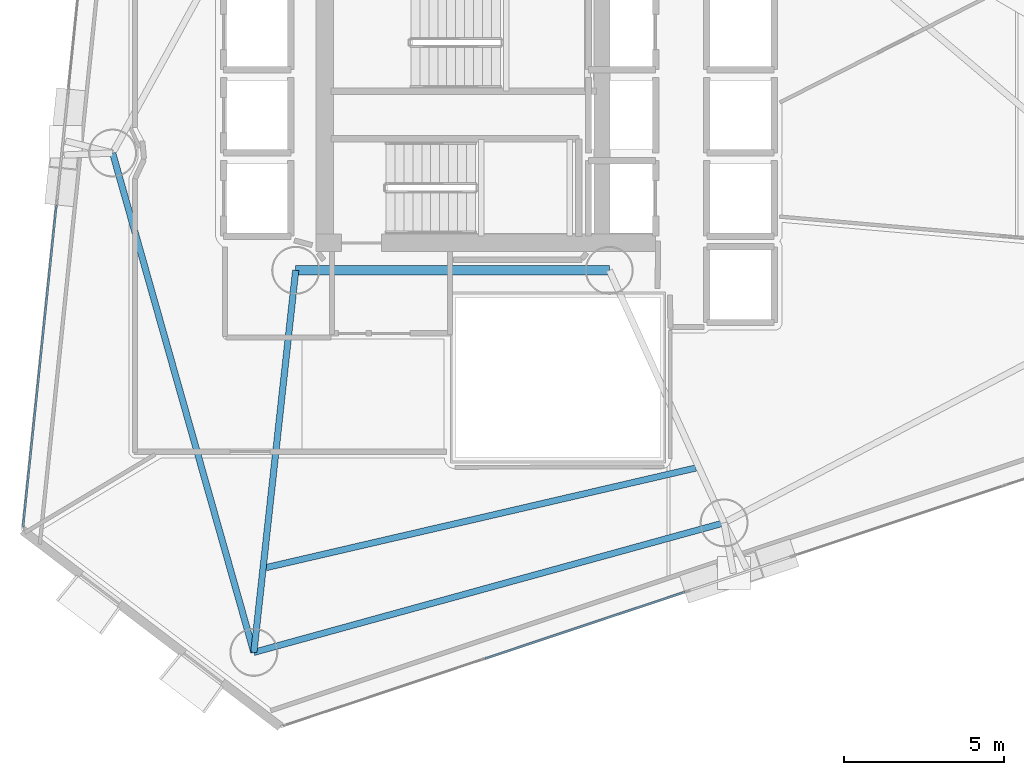
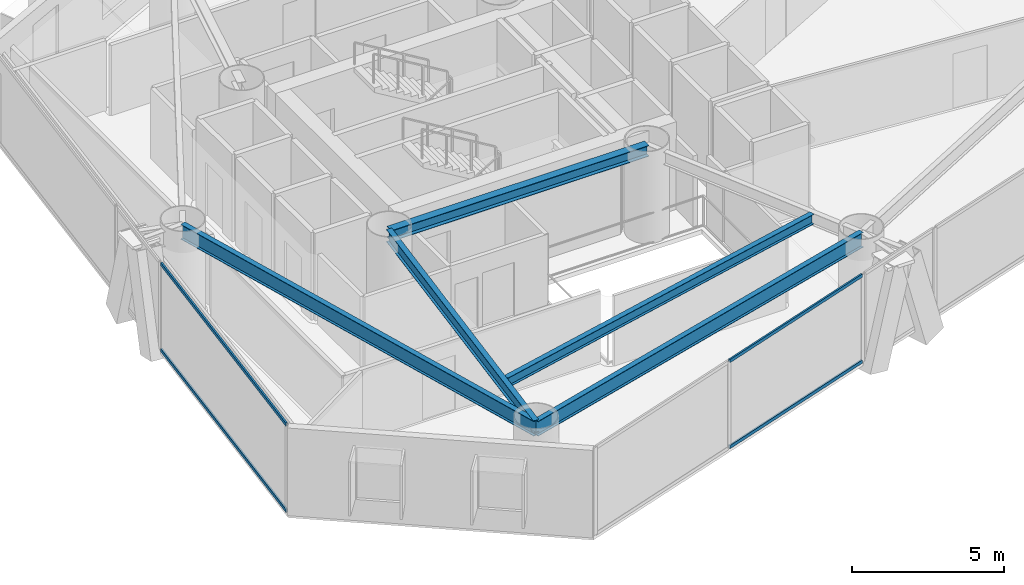
# One storey, part 3 of 19: 5 beams, 4 members, 2 elements without a shape of their own.
"""IFC4 building model written with IfcOpenShell, lengths in metres."""

from ifc_helpers import new_model, si_unit, direction, frame, origin, origin_2d, place, context, subcontext, project, spatial, hollow_rectangle, i_section, extrude, material, layer, layer_set, material_profile, profile_set, type_object, element, aggregate, save


model = new_model("IFC4")

# Units and contexts
model_context = context("Model", 3, precision=1e-05, world=origin(), true_north=direction((0.0, 1.0)))
body_context = subcontext(model_context, "Body", "Model", "MODEL_VIEW")
ifc_project = project(units=[si_unit("LENGTHUNIT", "METRE"), si_unit("AREAUNIT", "SQUARE_METRE"), si_unit("VOLUMEUNIT", "CUBIC_METRE"), si_unit("PLANEANGLEUNIT", "RADIAN"), si_unit("MASSUNIT", "GRAM", prefix="KILO")], contexts=[model_context])

# Site, building, storey
site_placement = place(None, origin())
site = spatial("IfcSite", under=ifc_project, at=site_placement, CompositionType="ELEMENT")
building_placement = place(site_placement, origin())
building = spatial("IfcBuilding", under=site, at=building_placement, Name="Qianvela Tower", CompositionType="ELEMENT")
storey_placement = place(building_placement, frame((0.0, 0.0, 120.0)))
storey = spatial("IfcBuildingStorey", under=building, at=storey_placement, Name="L30", CompositionType="ELEMENT", Elevation=120.0)

# Beams
ifc_material_1 = material(Name="Steel Q355B", Category="steel")
ifc_material_profile_1 = material_profile(ifc_material_1, i_section(OverallWidth=0.300048828125, OverallDepth=0.43994140625, WebThickness=0.010986328125, FlangeThickness=0.01806640625, at=origin_2d()), Name="HM440x300x11x18")
ifc_profile_set_1 = profile_set([ifc_material_profile_1], Name="Steel Q355B")
beam_type_1 = type_object("IfcBeamType", Name="BM-HM440-COLL", PredefinedType="BEAM", material=ifc_profile_set_1)
beam_1_placement = place(storey_placement, frame((28.60009765625, 23.85009765625, 3.298095703125), z_axis=(1.0, 0.0, 0.0), x_axis=(0.0, 1.0, 0.0)))
element("IfcBeam", 1, at=beam_1_placement, inside=storey, type_object=beam_type_1, Name="L30 Core Ring Collector Girder CC1", PredefinedType="BEAM", context=body_context, shape_type="SweptSolid", body=[
    extrude(i_section(OverallWidth=0.300048828125, OverallDepth=0.43994140625, WebThickness=0.010986328125, FlangeThickness=0.01806640625, at=origin_2d()), origin(), (0.0, 0.0, 1.0), 9.7998046875),
])
ifc_material_2 = material(Name="Steel Q355B", Category="steel")
ifc_material_profile_2 = material_profile(ifc_material_2, i_section(OverallWidth=0.199951171875, OverallDepth=0.39990234375, WebThickness=0.008056640625, FlangeThickness=0.012939453125, at=origin_2d()), Name="HN400x200x8x13")
ifc_profile_set_2 = profile_set([ifc_material_profile_2], Name="Steel Q355B")
beam_type_2 = type_object("IfcBeamType", Name="BM-HN400-JOIST", PredefinedType="JOIST", material=ifc_profile_set_2)
beam_2_placement = place(storey_placement, frame((27.67333984375, 14.5576171875, 3.318115234375), z_axis=(0.974157898668, 0.225868077567, 0.0), x_axis=(-0.225868077567, 0.974157898668, 0.0)))
element("IfcBeam", 2, at=beam_2_placement, inside=storey, type_object=beam_type_2, Name="L30 Secondary Composite Floor Joist 5.3", PredefinedType="JOIST", context=body_context, shape_type="SweptSolid", body=[
    extrude(i_section(OverallWidth=0.199951171875, OverallDepth=0.39990234375, WebThickness=0.008056640625, FlangeThickness=0.012939453125, at=origin_2d()), origin(), (0.0, 0.0, 1.0), 13.787841796875),
])
ifc_material_3 = material(Name="Steel Q355B", Category="steel")
ifc_material_profile_3 = material_profile(ifc_material_3, i_section(OverallWidth=0.199951171875, OverallDepth=0.5, WebThickness=0.010009765625, FlangeThickness=0.01611328125, at=origin_2d()), Name="HN500x200x10x16")
ifc_profile_set_3 = profile_set([ifc_material_profile_3], Name="Steel Q355B")
beam_type_3 = type_object("IfcBeamType", Name="BM-HN500-GIRD", PredefinedType="BEAM", material=ifc_profile_set_3)
beam_3_placement = place(storey_placement, frame((28.60009765625, 23.85009765625, 3.26806640625), z_axis=(-0.108894474914, -0.994053315136, 0.0), x_axis=(0.994053315136, -0.108894474914, 0.0)))
element("IfcBeam", 3, at=beam_3_placement, inside=storey, type_object=beam_type_3, Name="L30 Radial Primary Floor Girder 5", PredefinedType="BEAM", context=body_context, shape_type="SweptSolid", body=[
    extrude(i_section(OverallWidth=0.199951171875, OverallDepth=0.5, WebThickness=0.010009765625, FlangeThickness=0.01611328125, at=origin_2d()), origin(), (0.0, 0.0, 1.0), 12.0126953125),
])
ifc_material_4 = material(Name="Steel Q355B", Category="steel")
ifc_material_profile_4 = material_profile(ifc_material_4, i_section(OverallWidth=0.199951171875, OverallDepth=0.60009765625, WebThickness=0.010986328125, FlangeThickness=0.01708984375, at=origin_2d()), Name="HN600x200x11x17")
ifc_profile_set_4 = profile_set([ifc_material_profile_4], Name="Steel Q355B")
beam_type_4 = type_object("IfcBeamType", Name="BM-HN600-GIRD", PredefinedType="BEAM", material=ifc_profile_set_4)
beam_4_placement = place(storey_placement, frame((22.8779296875, 27.51611328125, 3.218017578125), z_axis=(0.272147602289, -0.962255518336, 0.0), x_axis=(0.962255518336, 0.272147602289, 0.0)))
element("IfcBeam", 4, at=beam_4_placement, inside=storey, type_object=beam_type_4, Name="L30 Perimeter Ring Spandrel Girder 4", PredefinedType="BEAM", context=body_context, shape_type="SweptSolid", body=[
    extrude(i_section(OverallWidth=0.199951171875, OverallDepth=0.60009765625, WebThickness=0.010986328125, FlangeThickness=0.01708984375, at=origin_2d()), origin(), (0.0, 0.0, 1.0), 16.219482421875),
])
beam_5_placement = place(storey_placement, frame((27.2919921875, 11.908935546875, 3.218017578125), z_axis=(0.964093212083, 0.265564075912, 0.0), x_axis=(-0.265564075912, 0.964093212083, 0.0)))
element("IfcBeam", 5, at=beam_5_placement, inside=storey, type_object=beam_type_4, Name="L30 Perimeter Ring Spandrel Girder 5", PredefinedType="BEAM", context=body_context, shape_type="SweptSolid", body=[
    extrude(i_section(OverallWidth=0.199951171875, OverallDepth=0.60009765625, WebThickness=0.010986328125, FlangeThickness=0.01708984375, at=origin_2d()), origin(), (0.0, 0.0, 1.0), 15.243408203125),
])

# Curtain wall, members
ifc_material_5 = material(Name="Anodised Architectural Aluminium and Low-E Glass", Category="aluminium")
ifc_layer = layer(ifc_material_5, 0.169921875)
ifc_layer_set = layer_set([ifc_layer], Name="Anodised Architectural Aluminium and Low-E Glass")
curtain_wall_type = type_object("IfcCurtainWallType", Name="CW-COLIV-Z34", PredefinedType="USERDEFINED", material=ifc_layer_set)
curtain_wall_1_placement = place(storey_placement, origin())
curtain_wall_1 = element("IfcCurtainWall", 6, at=curtain_wall_1_placement, inside=storey, type_object=curtain_wall_type, Name="L30 CW-COLIV-Z34 Curtain Wall 04C", ObjectType="CURTAIN_WALL_SYSTEM", PredefinedType="USERDEFINED")
ifc_material_6 = material(Name="Anodised Architectural Aluminium 6063-T6", Category="aluminium")
ifc_material_profile_5 = material_profile(ifc_material_6, hollow_rectangle(XDim=0.06494140625, YDim=0.1298828125, WallThickness=0.00439453125, at=origin_2d()), Name="ALU-TRAN-65x130")
ifc_profile_set_5 = profile_set([ifc_material_profile_5], Name="Anodised Architectural Aluminium 6063-T6")
member_type = type_object("IfcMemberType", Name="CW-COLIV-Z34-TRAN", PredefinedType="USERDEFINED", material=ifc_profile_set_5)
member_1_placement = place(storey_placement, frame((21.121826171875, 25.878173828125, 0.032470703125), z_axis=(-0.103126783253, -0.994668219345, 0.0), x_axis=(0.994668219345, -0.103126783253, 0.0)))
member_1 = element("IfcMember", 7, at=member_1_placement, type_object=member_type, Name="CW-4 transom 1.1", ObjectType="TRANSOM", PredefinedType="USERDEFINED", context=body_context, shape_type="SweptSolid", body=[
    extrude(hollow_rectangle(XDim=0.06494140625, YDim=0.1298828125, WallThickness=0.00439453125, at=origin_2d()), origin(), (0.0, 0.0, 1.0), 10.099365234375),
])
member_2_placement = place(storey_placement, frame((21.121826171875, 25.878173828125, 3.487548828125), z_axis=(-0.103126783253, -0.994668219345, 0.0), x_axis=(0.994668219345, -0.103126783253, 0.0)))
member_2 = element("IfcMember", 8, at=member_2_placement, type_object=member_type, Name="CW-4 transom 1.2", ObjectType="TRANSOM", PredefinedType="USERDEFINED", context=body_context, shape_type="SweptSolid", body=[
    extrude(hollow_rectangle(XDim=0.06494140625, YDim=0.1298828125, WallThickness=0.00439453125, at=origin_2d()), origin(), (0.0, 0.0, 1.0), 10.099365234375),
])
aggregate(curtain_wall_1, [member_1, member_2])

curtain_wall_2_placement = place(storey_placement, origin())
curtain_wall_2 = element("IfcCurtainWall", 9, at=curtain_wall_2_placement, inside=storey, type_object=curtain_wall_type, Name="L30 CW-COLIV-Z34 Curtain Wall 06A", ObjectType="CURTAIN_WALL_SYSTEM", PredefinedType="USERDEFINED")
member_3_placement = place(storey_placement, frame((34.52392578125, 11.71484375, 0.032470703125), z_axis=(0.948694449388, 0.316194310039, 0.0), x_axis=(-0.316194310039, 0.948694449388, 0.0)))
member_3 = element("IfcMember", 10, at=member_3_placement, type_object=member_type, Name="CW-4 transom 2.1", ObjectType="TRANSOM", PredefinedType="USERDEFINED", context=body_context, shape_type="SweptSolid", body=[
    extrude(hollow_rectangle(XDim=0.06494140625, YDim=0.1298828125, WallThickness=0.00439453125, at=origin_2d()), origin(), (0.0, 0.0, 1.0), 6.567626953125),
])
member_4_placement = place(storey_placement, frame((34.52392578125, 11.71484375, 3.487548828125), z_axis=(0.948694449388, 0.316194310039, 0.0), x_axis=(-0.316194310039, 0.948694449388, 0.0)))
member_4 = element("IfcMember", 11, at=member_4_placement, type_object=member_type, Name="CW-4 transom 2.2", ObjectType="TRANSOM", PredefinedType="USERDEFINED", context=body_context, shape_type="SweptSolid", body=[
    extrude(hollow_rectangle(XDim=0.06494140625, YDim=0.1298828125, WallThickness=0.00439453125, at=origin_2d()), origin(), (0.0, 0.0, 1.0), 6.567626953125),
])
aggregate(curtain_wall_2, [member_3, member_4])

save(model, "model.ifc")
